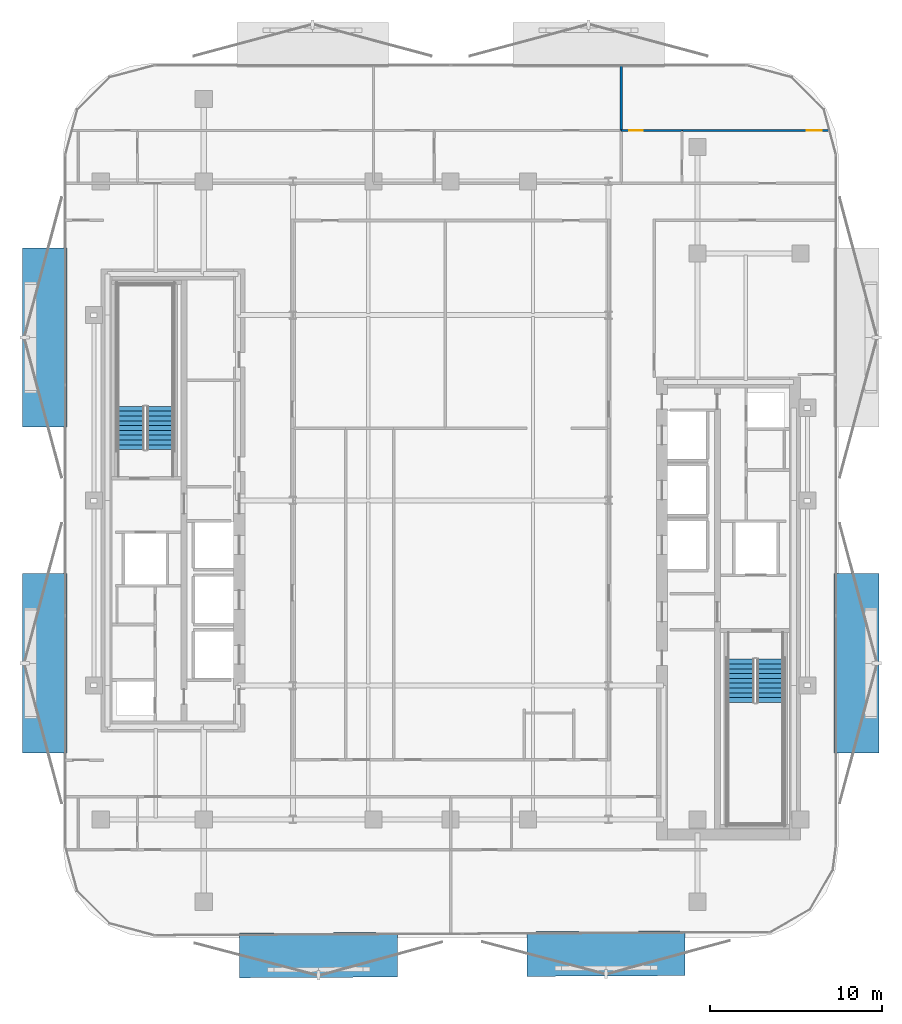
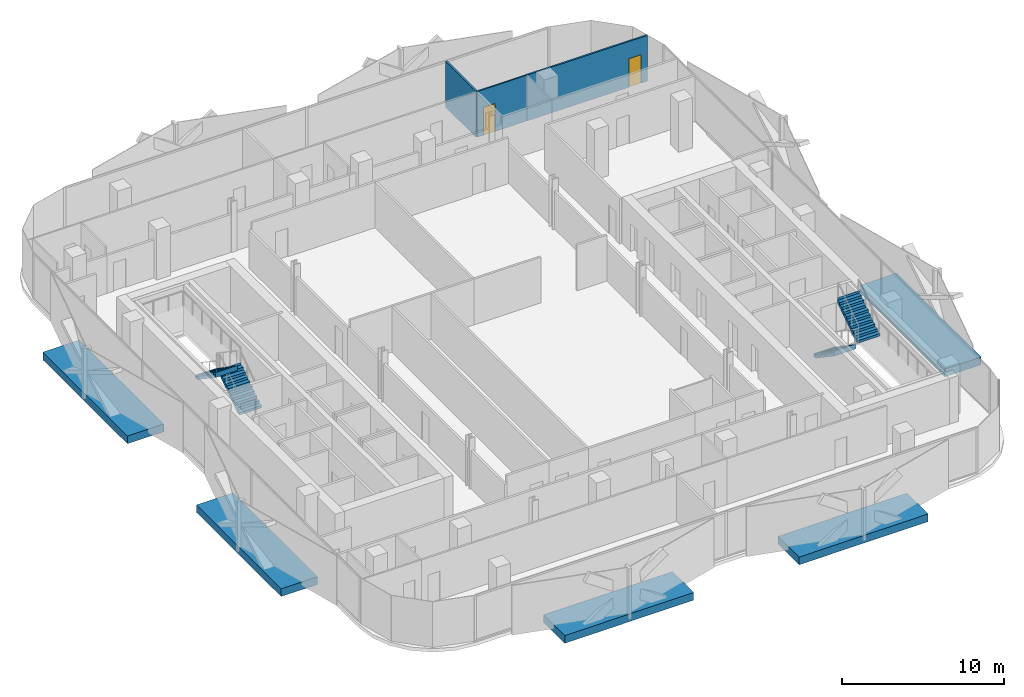
# One storey, part 7 of 17: 5 discrete accessories, 4 stair flights, 3 walls, 2 doors, 2 openings, 2 elements without a shape of their own.
"""IFC4 building model written with IfcOpenShell, lengths in metres."""

from ifc_helpers import new_model, si_unit, direction, frame, frame_2d, origin, origin_2d, place, context, subcontext, project, spatial, polyline, rectangle, outline, extrude, material, layer, layer_set, type_object, element, fill, aggregate, save


model = new_model("IFC4")

# Units and contexts
model_context = context("Model", 3, precision=1e-05, world=origin(), true_north=direction((0.0, 1.0)))
body_context = subcontext(model_context, "Body", "Model", "MODEL_VIEW")
ifc_project = project(units=[si_unit("LENGTHUNIT", "METRE"), si_unit("AREAUNIT", "SQUARE_METRE"), si_unit("VOLUMEUNIT", "CUBIC_METRE"), si_unit("PLANEANGLEUNIT", "RADIAN"), si_unit("MASSUNIT", "GRAM", prefix="KILO")], contexts=[model_context])

# Site, building, storey
site_placement = place(None, origin())
site = spatial("IfcSite", under=ifc_project, at=site_placement, CompositionType="ELEMENT")
building_placement = place(site_placement, origin())
building = spatial("IfcBuilding", under=site, at=building_placement, Name="Khairoan Windgate Tower", CompositionType="ELEMENT")
storey_placement = place(building_placement, frame((0.0, 0.0, 210.60009765625)))
storey = spatial("IfcBuildingStorey", under=building, at=storey_placement, Name="L49", CompositionType="ELEMENT", Elevation=210.60009765625)

# Wall, opening, door
ifc_material_1 = material(Name="Moisture-Resistant Gypsum Partition", Category="gypsum")
ifc_layer_1 = layer(ifc_material_1, 0.10009765625, Name="Moisture-Resistant Gypsum Partition")
ifc_layer_set_1 = layer_set([ifc_layer_1], Name="Moisture-Resistant Gypsum Partition")
wall_type_1 = type_object("IfcWallType", Name="Bathroom Wet-Area Partition Wall", PredefinedType="PARTITIONING", material=ifc_layer_set_1)
wall_1_placement = place(storey_placement, frame((9.949951171875, 21.570068359375, 0.0), z_axis=(0.0, 0.0, 1.0), x_axis=(1.0, 0.0, 0.0)))
wall_1 = element("IfcWall", 1, at=wall_1_placement, inside=storey, type_object=wall_type_1, Name="L49 Interior Partition 058", PredefinedType="PARTITIONING", context=body_context, shape_type="SweptSolid", body=[
    extrude(rectangle(XDim=3.5400390625, YDim=0.10009765625, at=frame_2d((1.77001953125, 0.0))), origin(), (0.0, 0.0, 1.0), 3.449951171875),
])
opening_1_placement = place(wall_1_placement, frame((0.4599609375, 0.0, 0.0)))
opening_1 = element("IfcOpeningElement", 2, at=opening_1_placement, cuts=wall_1, Name="Opening ID-BTH", PredefinedType="OPENING", context=body_context, shape_type="SweptSolid", body=[
    extrude(rectangle(XDim=0.800048828125, YDim=2.10009765625, at=frame_2d((0.39990234375, 1.050048828125))), frame((0.0, 0.06005859375, 0.0), z_axis=(0.0, -1.0, 0.0), x_axis=(1.0, 0.0, 0.0)), (0.0, 0.0, 1.0), 0.1201171875),
])
ifc_material_2 = material(Name="Teak Veneer Timber Leaf", Category="wood")
door_type_1 = type_object("IfcDoorType", Name="Internal Bathroom Door ID-BTH 800x2100", OperationType="NOTDEFINED", PredefinedType="DOOR", material=ifc_material_2)
door_1_placement = place(opening_1_placement, origin())
door_1 = element("IfcDoor", 3, at=door_1_placement, inside=storey, type_object=door_type_1, Name="L49 L49-45-L49-47 Door", OperationType="SINGLE_SWING_LEFT", OverallHeight=2.10009765625, OverallWidth=0.800048828125, PredefinedType="DOOR", context=body_context, shape_type="SweptSolid", body=[
    extrude(rectangle(XDim=0.800048828125, YDim=2.10009765625, at=frame_2d((0.39990234375, 1.050048828125))), frame((0.0, 0.02490234375, 0.0), z_axis=(0.0, -1.0, 0.0), x_axis=(1.0, 0.0, 0.0)), (0.0, 0.0, 1.0), 0.050048828125),
])
fill(opening_1, door_1)

# Wall
ifc_material_3 = material(Name="Acoustic Fire-Rated Gypsum Partition", Category="gypsum")
ifc_layer_2 = layer(ifc_material_3, 0.139892578125, Name="Acoustic Fire-Rated Gypsum Partition")
ifc_layer_set_2 = layer_set([ifc_layer_2], Name="Acoustic Fire-Rated Gypsum Partition")
wall_type_2 = type_object("IfcWallType", Name="Inter-Tenancy Compartment Wall", PredefinedType="PARTITIONING", material=ifc_layer_set_2)
wall_2_placement = place(storey_placement, frame((9.949951171875, 21.570068359375, 0.0), z_axis=(0.0, 0.0, 1.0), x_axis=(0.0, 1.0, 0.0)))
element("IfcWall", 4, at=wall_2_placement, inside=storey, type_object=wall_type_2, Name="L49 Interior Partition 056", PredefinedType="PARTITIONING", context=body_context, shape_type="SweptSolid", body=[
    extrude(rectangle(XDim=3.784912109375, YDim=0.139892578125, at=frame_2d((1.892578125, 0.0))), origin(), (0.0, 0.0, 1.0), 3.449951171875),
])

# Wall, opening, door
ifc_material_4 = material(Name="Gypsum Stud Partition", Category="gypsum")
ifc_layer_3 = layer(ifc_material_4, 0.1201171875, Name="Gypsum Stud Partition")
ifc_layer_set_3 = layer_set([ifc_layer_3], Name="Gypsum Stud Partition")
wall_type_3 = type_object("IfcWallType", Name="Internal Room Partition Wall", PredefinedType="PARTITIONING", material=ifc_layer_set_3)
wall_3_placement = place(storey_placement, frame((13.489990234375, 21.570068359375, 0.0), z_axis=(0.0, 0.0, 1.0), x_axis=(1.0, 0.0, 0.0)))
wall_3 = element("IfcWall", 5, at=wall_3_placement, inside=storey, type_object=wall_type_3, Name="L49 Interior Partition 059", PredefinedType="PARTITIONING", context=body_context, shape_type="SweptSolid", body=[
    extrude(rectangle(XDim=8.59619140625, YDim=0.1201171875, at=frame_2d((4.298095703125, 0.0))), origin(), (0.0, 0.0, 1.0), 3.449951171875),
])
opening_2_placement = place(wall_3_placement, frame((7.276123046875, 0.0, 0.0)))
opening_2 = element("IfcOpeningElement", 6, at=opening_2_placement, cuts=wall_3, Name="Opening ID-RM", PredefinedType="OPENING", context=body_context, shape_type="SweptSolid", body=[
    extrude(rectangle(XDim=0.860107421875, YDim=2.14990234375, at=frame_2d((0.43017578125, 1.074951171875))), frame((0.0, 0.070068359375, 0.0), z_axis=(0.0, -1.0, 0.0), x_axis=(1.0, 0.0, 0.0)), (0.0, 0.0, 1.0), 0.14013671875),
])
ifc_material_5 = material(Name="Teak Veneer Timber Leaf", Category="wood")
door_type_2 = type_object("IfcDoorType", Name="Internal Bedroom and Office Door ID-RM 860x2150", OperationType="NOTDEFINED", PredefinedType="DOOR", material=ifc_material_5)
door_2_placement = place(opening_2_placement, origin())
door_2 = element("IfcDoor", 7, at=door_2_placement, inside=storey, type_object=door_type_2, Name="L49 L49-46-L49-47 Door", OperationType="SINGLE_SWING_RIGHT", OverallHeight=2.14990234375, OverallWidth=0.860107421875, PredefinedType="DOOR", context=body_context, shape_type="SweptSolid", body=[
    extrude(rectangle(XDim=0.860107421875, YDim=2.14990234375, at=frame_2d((0.43017578125, 1.074951171875))), frame((0.0, 0.02490234375, 0.0), z_axis=(0.0, -1.0, 0.0), x_axis=(1.0, 0.0, 0.0)), (0.0, 0.0, 1.0), 0.050048828125),
])
fill(opening_2, door_2)

# Stair, stair flights
ifc_material_6 = material(Name="Concrete C40/50", Category="concrete")
stair_type = type_object("IfcStairType", Name="Tower Core Dog-Leg Stair ST-T1 1560mm", PredefinedType="HALF_TURN_STAIR", material=ifc_material_6)
stair_1_placement = place(storey_placement, origin())
stair_1 = element("IfcStair", 8, at=stair_1_placement, inside=storey, type_object=stair_type, Name="L49 Stair ST1", PredefinedType="HALF_TURN_STAIR")
ifc_material_7 = material(Name="Concrete C40/50", Category="concrete")
ifc_layer_4 = layer(ifc_material_7, 0.14990234375, Name="Concrete C40/50")
ifc_layer_set_4 = layer_set([ifc_layer_4], Name="Concrete C40/50")
stair_flight_type = type_object("IfcStairFlightType", Name="Tower Core Stair Flight STF-1560", PredefinedType="STRAIGHT", material=ifc_layer_set_4)
stair_flight_1_placement = place(storey_placement, frame((16.929931640625, -9.260009765625, 0.0), z_axis=(0.0, 0.0, 1.0), x_axis=(0.0, -1.0, 0.0)))
stair_flight_1 = element("IfcStairFlight", 9, at=stair_flight_1_placement, type_object=stair_flight_type, Name="ST1 flight 1", NumberOfRisers=10, NumberOfTreads=9, PredefinedType="STRAIGHT", RiserHeight=0.19, TreadLength=0.28, context=body_context, shape_type="SweptSolid", body=[
    extrude(outline(polyline([(-0.00390625, 0.0), (-0.00390625, 0.18994140625), (0.0, 0.18994140625), (0.280029296875, 0.18994140625), (0.280029296875, 0.3798828125), (0.56005859375, 0.3798828125), (0.56005859375, 0.570068359375), (0.840087890625, 0.570068359375), (0.840087890625, 0.760009765625), (1.1201171875, 0.760009765625), (1.1201171875, 0.949951171875), (1.39990234375, 0.949951171875), (1.39990234375, 1.139892578125), (1.679931640625, 1.139892578125), (1.679931640625, 1.330078125), (1.9599609375, 1.330078125), (1.9599609375, 1.52001953125), (2.239990234375, 1.52001953125), (2.239990234375, 1.7099609375), (2.52001953125, 1.7099609375), (2.52001953125, 1.89990234375), (2.52392578125, 1.89990234375), (2.52392578125, 1.52880859375), (0.266845703125, 0.0), (-0.00390625, 0.0)])), frame((0.0, 0.780029296875, 0.0), z_axis=(0.0, -1.0, 0.0), x_axis=(1.0, 0.0, 0.0)), (0.0, 0.0, 1.0), 1.56005859375),
])
stair_flight_2_placement = place(storey_placement, frame((18.639892578125, -11.780029296875, 1.89990234375), z_axis=(0.0, 0.0, 1.0), x_axis=(0.0, 1.0, 0.0)))
stair_flight_2 = element("IfcStairFlight", 10, at=stair_flight_2_placement, type_object=stair_flight_type, Name="ST1 flight 2", NumberOfRisers=10, NumberOfTreads=9, PredefinedType="STRAIGHT", RiserHeight=0.19, TreadLength=0.28, context=body_context, shape_type="SweptSolid", body=[
    extrude(outline(polyline([(-0.00390625, 0.0), (-0.00390625, 0.18994140625), (0.0, 0.18994140625), (0.280029296875, 0.18994140625), (0.280029296875, 0.3798828125), (0.56005859375, 0.3798828125), (0.56005859375, 0.570068359375), (0.840087890625, 0.570068359375), (0.840087890625, 0.760009765625), (1.1201171875, 0.760009765625), (1.1201171875, 0.949951171875), (1.39990234375, 0.949951171875), (1.39990234375, 1.139892578125), (1.679931640625, 1.139892578125), (1.679931640625, 1.330078125), (1.9599609375, 1.330078125), (1.9599609375, 1.52001953125), (2.239990234375, 1.52001953125), (2.239990234375, 1.7099609375), (2.52001953125, 1.7099609375), (2.52001953125, 1.89990234375), (2.52392578125, 1.89990234375), (2.52392578125, 1.52880859375), (0.266845703125, 0.0), (-0.00390625, 0.0)])), frame((0.0, 0.780029296875, 0.0), z_axis=(0.0, -1.0, 0.0), x_axis=(1.0, 0.0, 0.0)), (0.0, 0.0, 1.0), 1.56005859375),
])
aggregate(stair_1, [stair_flight_1, stair_flight_2])

stair_2_placement = place(storey_placement, origin())
stair_2 = element("IfcStair", 11, at=stair_2_placement, inside=storey, type_object=stair_type, Name="L49 Stair ST2", PredefinedType="HALF_TURN_STAIR")
stair_flight_3_placement = place(storey_placement, frame((-16.929931640625, 2.9599609375, 0.0), z_axis=(0.0, 0.0, 1.0), x_axis=(0.0, 1.0, 0.0)))
stair_flight_3 = element("IfcStairFlight", 12, at=stair_flight_3_placement, type_object=stair_flight_type, Name="ST2 flight 1", NumberOfRisers=10, NumberOfTreads=9, PredefinedType="STRAIGHT", RiserHeight=0.19, TreadLength=0.28, context=body_context, shape_type="SweptSolid", body=[
    extrude(outline(polyline([(-0.00390625, 0.0), (-0.00390625, 0.18994140625), (0.0, 0.18994140625), (0.280029296875, 0.18994140625), (0.280029296875, 0.3798828125), (0.56005859375, 0.3798828125), (0.56005859375, 0.570068359375), (0.840087890625, 0.570068359375), (0.840087890625, 0.760009765625), (1.1201171875, 0.760009765625), (1.1201171875, 0.949951171875), (1.39990234375, 0.949951171875), (1.39990234375, 1.139892578125), (1.679931640625, 1.139892578125), (1.679931640625, 1.330078125), (1.9599609375, 1.330078125), (1.9599609375, 1.52001953125), (2.239990234375, 1.52001953125), (2.239990234375, 1.7099609375), (2.52001953125, 1.7099609375), (2.52001953125, 1.89990234375), (2.52392578125, 1.89990234375), (2.52392578125, 1.52880859375), (0.266845703125, 0.0), (-0.00390625, 0.0)])), frame((0.0, 0.780029296875, 0.0), z_axis=(0.0, -1.0, 0.0), x_axis=(1.0, 0.0, 0.0)), (0.0, 0.0, 1.0), 1.56005859375),
])
stair_flight_4_placement = place(storey_placement, frame((-18.639892578125, 5.47998046875, 1.89990234375), z_axis=(0.0, 0.0, 1.0), x_axis=(0.0, -1.0, 0.0)))
stair_flight_4 = element("IfcStairFlight", 13, at=stair_flight_4_placement, type_object=stair_flight_type, Name="ST2 flight 2", NumberOfRisers=10, NumberOfTreads=9, PredefinedType="STRAIGHT", RiserHeight=0.19, TreadLength=0.28, context=body_context, shape_type="SweptSolid", body=[
    extrude(outline(polyline([(-0.00390625, 0.0), (-0.00390625, 0.18994140625), (0.0, 0.18994140625), (0.280029296875, 0.18994140625), (0.280029296875, 0.3798828125), (0.56005859375, 0.3798828125), (0.56005859375, 0.570068359375), (0.840087890625, 0.570068359375), (0.840087890625, 0.760009765625), (1.1201171875, 0.760009765625), (1.1201171875, 0.949951171875), (1.39990234375, 0.949951171875), (1.39990234375, 1.139892578125), (1.679931640625, 1.139892578125), (1.679931640625, 1.330078125), (1.9599609375, 1.330078125), (1.9599609375, 1.52001953125), (2.239990234375, 1.52001953125), (2.239990234375, 1.7099609375), (2.52001953125, 1.7099609375), (2.52001953125, 1.89990234375), (2.52392578125, 1.89990234375), (2.52392578125, 1.52880859375), (0.266845703125, 0.0), (-0.00390625, 0.0)])), frame((0.0, 0.780029296875, 0.0), z_axis=(0.0, -1.0, 0.0), x_axis=(1.0, 0.0, 0.0)), (0.0, 0.0, 1.0), 1.56005859375),
])
aggregate(stair_2, [stair_flight_3, stair_flight_4])

# Discrete accessories
ifc_material_8 = material(Name="Steel S355", Category="steel")
discrete_accessory_type = type_object("IfcDiscreteAccessoryType", Name="Solar Screen Outrigger Slab Bracket SSB-1", PredefinedType="BRACKET", material=ifc_material_8)
for number, where, z_axis, x_axis, name in (
    (14, (9.0595703125, -26.43017578125, -0.420166015625), (0.0, 0.0, 1.0), (-0.999988059021, -0.004886902454, 0.0), "L49 Solar Screen Outrigger Bracket 329"),
    (15, (-7.703369140625, -26.5126953125, -0.420166015625), (0.0, 0.0, 1.0), (-0.999988059021, -0.004886902454, 0.0), "L49 Solar Screen Outrigger Bracket 330"),
):
    element("IfcDiscreteAccessory", number, at=place(storey_placement, frame(where, z_axis=z_axis, x_axis=x_axis)), inside=storey, type_object=discrete_accessory_type, Name=name, PredefinedType="BRACKET", context=body_context, shape_type="SweptSolid", body=[
        extrude(rectangle(XDim=9.219970703125, YDim=2.60009765625, at=origin_2d()), origin(), (0.0, 0.0, 1.0), 0.580078125),
    ])
for number, where, z_axis, x_axis, name in (
    (16, (-23.659912109375, -9.495361328125, -0.420166015625), (0.0, 0.0, 1.0), (0.0, 1.0, 0.0), "L49 Solar Screen Outrigger Bracket 331"),
    (17, (-23.659912109375, 9.495361328125, -0.420166015625), (0.0, 0.0, 1.0), (0.0, 1.0, 0.0), "L49 Solar Screen Outrigger Bracket 332"),
    (18, (23.659912109375, -9.495361328125, -0.420166015625), (0.0, 0.0, 1.0), (0.0, -1.0, 0.0), "L49 Solar Screen Outrigger Bracket 336"),
):
    element("IfcDiscreteAccessory", number, at=place(storey_placement, frame(where, z_axis=z_axis, x_axis=x_axis)), inside=storey, type_object=discrete_accessory_type, Name=name, PredefinedType="BRACKET", context=body_context, shape_type="SweptSolid", body=[
        extrude(rectangle(XDim=10.445068359375, YDim=2.60009765625, at=origin_2d()), origin(), (0.0, 0.0, 1.0), 0.580078125),
    ])

save(model, "model.ifc")
